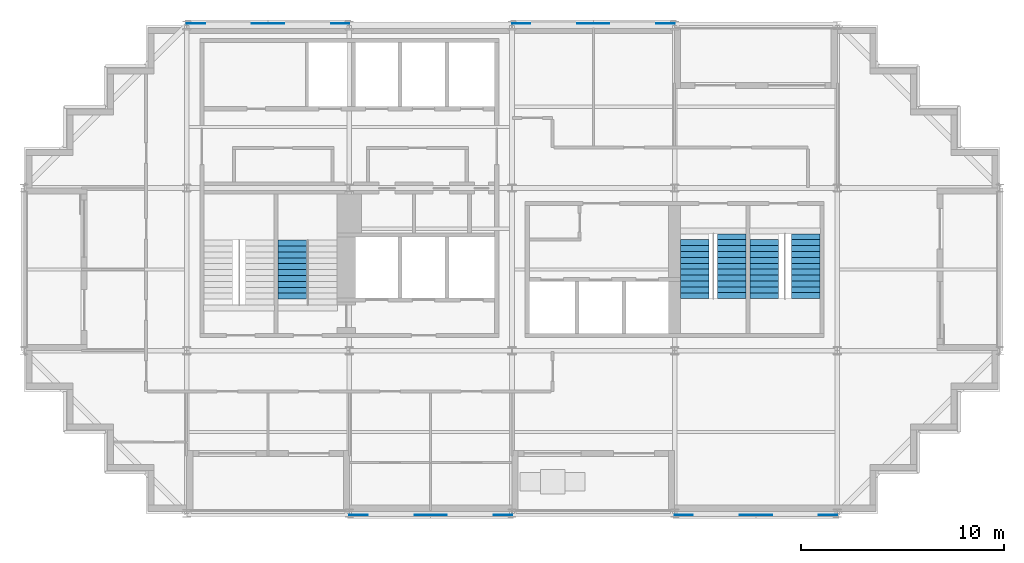
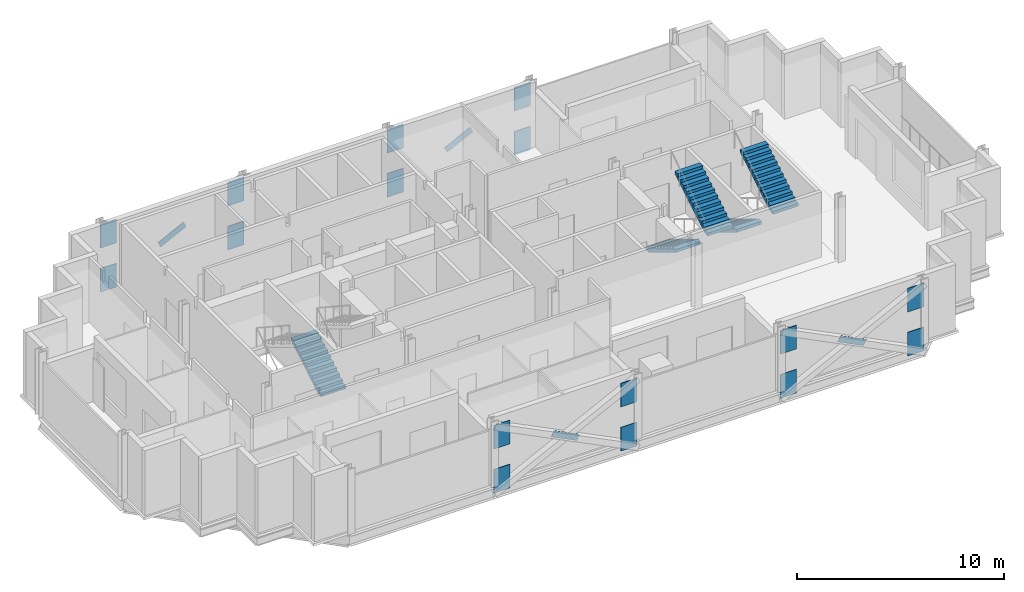
# One storey, part 6 of 8: 20 discrete accessories, 5 stair flights, 3 elements without a shape of their own.
"""IFC4 building model written with IfcOpenShell, lengths in metres."""

import ifcopenshell
import ifcopenshell.guid

model = None  # the IFC model being written
_history = None  # IfcOwnerHistory: only IFC2X3 demands one
_inside = {}  # id of a spatial element -> (the spatial element, [elements in it])
_under = {}  # id of a project, library or spatial element -> (it, [spatial elements below it])
_declared = {}  # id of a project -> (the project, [libraries it declares])
_typed = {}  # id of a type object -> (the type object, [elements of that type])
_made_of = {}  # id of a material, layer set ... -> (it, [elements and type objects made of it])


def new_model(schema):
    """Start an empty IFC model of exactly this schema.

    Asked for "IFC4X3", IfcOpenShell would pick the latest addendum, in which some entities
    have other attributes; the version numbers below select the first issue.
    IFC2X3 requires an IfcOwnerHistory on every rooted entity: one is made here for all.
    """
    global model, _history
    if schema == "IFC4X3":
        model = ifcopenshell.file(schema_version=(4, 3, 0, 0))
    else:
        model = ifcopenshell.file(schema=schema)
    _inside.clear()
    _under.clear()
    _declared.clear()
    _typed.clear()
    _made_of.clear()
    _history = None
    if model.schema == "IFC2X3":
        org = make("IfcOrganization", Name="unknown")
        user = make(
            "IfcPersonAndOrganization",
            ThePerson=make("IfcPerson", FamilyName="unknown"),
            TheOrganization=org,
        )
        app = make(
            "IfcApplication",
            ApplicationDeveloper=org,
            Version="unknown",
            ApplicationFullName="unknown",
            ApplicationIdentifier="unknown",
        )
        _history = make(
            "IfcOwnerHistory",
            OwningUser=user,
            OwningApplication=app,
            ChangeAction="ADDED",
            CreationDate=0,
        )
    return model


def make(cls, **values):
    """One entity of the class cls with the attributes given. An attribute that is None is left unset."""
    return model.create_entity(
        cls, **{name: value for name, value in values.items() if value is not None}
    )


def rooted(cls, **values):
    """An entity with a GlobalId (a new one), such as an element, a storey or a relation."""
    return make(cls, GlobalId=ifcopenshell.guid.new(), OwnerHistory=_history, **values)


def si_unit(unit_type, name, prefix=None):
    """IfcSIUnit, for example si_unit("LENGTHUNIT", "METRE", prefix="MILLI")."""
    return make("IfcSIUnit", UnitType=unit_type, Prefix=prefix, Name=name)


def assignment(units):
    """IfcUnitAssignment: the units of a project."""
    return None if units is None else make("IfcUnitAssignment", Units=units)


def point(xyz):
    """IfcCartesianPoint."""
    return None if xyz is None else make("IfcCartesianPoint", Coordinates=xyz)


def direction(xyz):
    """IfcDirection."""
    return None if xyz is None else make("IfcDirection", DirectionRatios=xyz)


def frame(location, z_axis=None, x_axis=None):
    """IfcAxis2Placement3D, a coordinate frame: its origin and axes. An axis left out is left unset."""
    return make(
        "IfcAxis2Placement3D",
        Location=point(location),
        Axis=direction(z_axis),
        RefDirection=direction(x_axis),
    )


def frame_2d(location, x_axis=None):
    """IfcAxis2Placement2D, a coordinate frame in the plane: its origin and x axis."""
    return make(
        "IfcAxis2Placement2D", Location=point(location), RefDirection=direction(x_axis)
    )


def origin():
    """The frame at (0, 0, 0) with its axes left unset."""
    return frame((0.0, 0.0, 0.0))


def origin_2d():
    """The frame at (0, 0) in the plane with its x axis left unset."""
    return frame_2d((0.0, 0.0))


def place(relative_to, where):
    """IfcLocalPlacement: puts the frame where relative to a parent placement (None: the world)."""
    return make(
        "IfcLocalPlacement", PlacementRelTo=relative_to, RelativePlacement=where
    )


def context(
    kind, dimensions, precision=None, world=None, true_north=None, identifier=None
):
    """IfcGeometricRepresentationContext, for example the 3D "Model" context."""
    return make(
        "IfcGeometricRepresentationContext",
        ContextIdentifier=identifier,
        ContextType=kind,
        CoordinateSpaceDimension=dimensions,
        Precision=precision,
        WorldCoordinateSystem=world,
        TrueNorth=true_north,
    )


def subcontext(parent, identifier, kind, view, scale=None):
    """IfcGeometricRepresentationSubContext, for example "Body" below "Model"."""
    return make(
        "IfcGeometricRepresentationSubContext",
        ContextIdentifier=identifier,
        ContextType=kind,
        ParentContext=parent,
        TargetScale=scale,
        TargetView=view,
    )


def project(units=None, contexts=None):
    """IfcProject with its units and contexts."""
    return rooted(
        "IfcProject",
        Name="project",
        RepresentationContexts=contexts,
        UnitsInContext=assignment(units),
    )


def spatial(cls, under=None, at=None, **own):
    """A site, building, storey or space (cls), placed at a placement, below another one or the project."""
    s = rooted(cls, ObjectPlacement=at, **own)
    if under is not None:
        _under.setdefault(under.id(), (under, []))[1].append(s)
    return s


def polyline(points):
    """IfcPolyline through the points."""
    return make("IfcPolyline", Points=[point(p) for p in points])


def profile(cls, at=None, kind="AREA", **sizes):
    """A parametric profile (cls). Its sizes go by their IFC names, for example OverallWidth=200.0."""
    return make(cls, ProfileType=kind, Position=at, **sizes)


def rectangle(**sizes):
    """IfcRectangleProfileDef."""
    return profile("IfcRectangleProfileDef", **sizes)


def outline(outer, holes=None, kind="AREA"):
    """IfcArbitraryClosedProfileDef: a profile drawn as a closed curve; with holes, ...WithVoids."""
    if holes is None:
        return make("IfcArbitraryClosedProfileDef", ProfileType=kind, OuterCurve=outer)
    return make(
        "IfcArbitraryProfileDefWithVoids",
        ProfileType=kind,
        OuterCurve=outer,
        InnerCurves=holes,
    )


def extrude(swept, where, along, depth):
    """IfcExtrudedAreaSolid: the profile swept, set in the frame where, extruded along a direction by depth."""
    return make(
        "IfcExtrudedAreaSolid",
        SweptArea=swept,
        Position=where,
        ExtrudedDirection=direction(along),
        Depth=depth,
    )


def shape(context_of_items, identifier, shape_type, items):
    """IfcShapeRepresentation: the items that make up one representation, for example the "Body"."""
    return make(
        "IfcShapeRepresentation",
        ContextOfItems=context_of_items,
        RepresentationIdentifier=identifier,
        RepresentationType=shape_type,
        Items=items,
    )


def material(Name=None, Category=None):
    """IfcMaterial."""
    return make("IfcMaterial", Name=Name, Category=Category)


def material_profile(
    of_material, cross_section, Name=None, Category=None, Priority=None
):
    """IfcMaterialProfile: a cross section and its material."""
    return make(
        "IfcMaterialProfile",
        Name=Name,
        Material=of_material,
        Profile=cross_section,
        Priority=Priority,
        Category=Category,
    )


def profile_set(profiles, Name=None, composite=None):
    """IfcMaterialProfileSet."""
    return make(
        "IfcMaterialProfileSet",
        Name=Name,
        MaterialProfiles=profiles,
        CompositeProfile=composite,
    )


def made_of(thing, what):
    """Note that an element or type object is made of a material, layer set ...; save() writes the relation."""
    if what is not None:
        _made_of.setdefault(what.id(), (what, []))[1].append(thing)
    return thing


def type_object(cls, material=None, **own):
    """A type object (cls), such as IfcWallType, which elements share."""
    return made_of(rooted(cls, **own), material)


def element(
    cls,
    number,
    at=None,
    inside=None,
    cuts=None,
    type_object=None,
    material=None,
    context=None,
    identifier="Body",
    shape_type=None,
    held_by="IfcProductDefinitionShape",
    body=None,
    shapes=None,
    **own,
):
    """One element of the class cls, such as IfcWall. Its Tag is "e" and its number.

    at: its placement. inside: the storey or other place that contains it. cuts: it is an
    opening in that element (IfcRelVoidsElement). A single representation is given by context,
    identifier, shape_type and body (its items); several are given by shapes. held_by: the class
    of the entity that holds the representations. save() writes the other relations.
    """
    e = rooted(cls, Tag="e%d" % number, ObjectPlacement=at, **own)
    if body is not None:
        shapes = [shape(context, identifier, shape_type, body)]
    if shapes is not None:
        e.Representation = make(held_by, Representations=shapes)
    if inside is not None:
        _inside.setdefault(inside.id(), (inside, []))[1].append(e)
    if cuts is not None:
        rooted(
            "IfcRelVoidsElement", RelatingBuildingElement=cuts, RelatedOpeningElement=e
        )
    if type_object is not None:
        _typed.setdefault(type_object.id(), (type_object, []))[1].append(e)
    return made_of(e, material)


def aggregate(whole, parts):
    """IfcRelAggregates: a whole, such as a stair, and the parts it consists of."""
    return rooted("IfcRelAggregates", RelatingObject=whole, RelatedObjects=parts)


def save(model, path):
    """Write the relations noted so far, then the file.

    IfcRelAggregates (storeys below a building ...), IfcRelContainedInSpatialStructure (elements
    in a storey), IfcRelDefinesByType, IfcRelAssociatesMaterial and IfcRelDeclares: one each for
    every whole, place, type object, material and project.
    """
    for whole, parts in _under.values():
        aggregate(whole, parts)
    for where, things in _inside.values():
        rooted(
            "IfcRelContainedInSpatialStructure",
            RelatedElements=things,
            RelatingStructure=where,
        )
    for kind, things in _typed.values():
        rooted("IfcRelDefinesByType", RelatedObjects=things, RelatingType=kind)
    for what, things in _made_of.values():
        rooted("IfcRelAssociatesMaterial", RelatedObjects=things, RelatingMaterial=what)
    for by, libraries in _declared.values():
        rooted("IfcRelDeclares", RelatingContext=by, RelatedDefinitions=libraries)
    model.write(path)


model = new_model("IFC4")

# Units and contexts
model_context = context("Model", 3, precision=1e-05, world=origin(), true_north=direction((0.0, 1.0)))
body_context = subcontext(model_context, "Body", "Model", "MODEL_VIEW")
ifc_project = project(units=[si_unit("LENGTHUNIT", "METRE"), si_unit("AREAUNIT", "SQUARE_METRE"), si_unit("VOLUMEUNIT", "CUBIC_METRE"), si_unit("PLANEANGLEUNIT", "RADIAN"), si_unit("MASSUNIT", "GRAM", prefix="KILO")], contexts=[model_context])

# Site, building, storey
site_placement = place(None, origin())
site = spatial("IfcSite", under=ifc_project, at=site_placement, CompositionType="ELEMENT")
building_placement = place(site_placement, origin())
building = spatial("IfcBuilding", under=site, at=building_placement, Name="Immortelle Media Tower", CompositionType="ELEMENT")
storey_placement = place(building_placement, frame((0.0, 0.0, 193.0)))
storey = spatial("IfcBuildingStorey", under=building, at=storey_placement, Name="L40", CompositionType="ELEMENT", Elevation=193.0)

# Stair, stair flight
ifc_material_1 = material(Name="Steel ASTM A992 Gr 50", Category="steel")
stair_type = type_object("IfcStairType", Name="Stair with flights", PredefinedType="DOUBLE_RETURN_STAIR", material=ifc_material_1)
stair_1_placement = place(storey_placement, origin())
stair_1 = element("IfcStair", 1, at=stair_1_placement, inside=storey, type_object=stair_type, Name="Exit stair SW2", PredefinedType="DOUBLE_RETURN_STAIR")
stair_flight_type = type_object("IfcStairFlightType", Name="Stair flight 1400", PredefinedType="STRAIGHT", material=ifc_material_1)
stair_flight_1_placement = place(storey_placement, frame((13.199951171875, 10.5400390625, 0.0), z_axis=(0.0, 0.0, 1.0), x_axis=(0.0, 1.0, 0.0)))
stair_flight_1 = element("IfcStairFlight", 2, at=stair_flight_1_placement, type_object=stair_flight_type, Name="ST SW2 flight 1", NumberOfRisers=11, NumberOfTreads=10, PredefinedType="STRAIGHT", RiserHeight=0.173913043, TreadLength=0.29, context=body_context, shape_type="SweptSolid", body=[
    extrude(outline(polyline([(0.0, 0.0), (0.0, 0.173828125), (0.2900390625, 0.173828125), (0.2900390625, 0.347900390625), (0.580078125, 0.347900390625), (0.580078125, 0.521728515625), (0.8701171875, 0.521728515625), (0.8701171875, 0.695556640625), (1.159912109375, 0.695556640625), (1.159912109375, 0.86962890625), (1.449951171875, 0.86962890625), (1.449951171875, 1.04345703125), (1.739990234375, 1.04345703125), (1.739990234375, 1.21728515625), (2.030029296875, 1.21728515625), (2.030029296875, 1.391357421875), (2.320068359375, 1.391357421875), (2.320068359375, 1.565185546875), (2.610107421875, 1.565185546875), (2.610107421875, 1.739013671875), (2.89990234375, 1.739013671875), (2.89990234375, 1.9130859375), (2.89990234375, 1.564453125), (0.29150390625, 0.0), (0.0, 0.0)])), frame((0.0, 0.699951171875, 0.0), z_axis=(0.0, -1.0, 0.0), x_axis=(1.0, 0.0, 0.0)), (0.0, 0.0, 1.0), 1.39990234375),
])
aggregate(stair_1, [stair_flight_1])

# Stair, stair flights
stair_2_placement = place(storey_placement, origin())
stair_2 = element("IfcStair", 3, at=stair_2_placement, inside=storey, type_object=stair_type, Name="Exit stair SE1", PredefinedType="DOUBLE_RETURN_STAIR")
stair_flight_2_placement = place(storey_placement, frame((33.0, 13.4599609375, 0.0), z_axis=(0.0, 0.0, 1.0), x_axis=(0.0, -1.0, 0.0)))
stair_flight_2 = element("IfcStairFlight", 4, at=stair_flight_2_placement, type_object=stair_flight_type, Name="ST SE1 flight 1", NumberOfRisers=11, NumberOfTreads=10, PredefinedType="STRAIGHT", RiserHeight=0.173913043, TreadLength=0.29, context=body_context, shape_type="SweptSolid", body=[
    extrude(outline(polyline([(0.0, 0.0), (0.0, 0.173828125), (0.2900390625, 0.173828125), (0.2900390625, 0.347900390625), (0.580078125, 0.347900390625), (0.580078125, 0.521728515625), (0.8701171875, 0.521728515625), (0.8701171875, 0.695556640625), (1.159912109375, 0.695556640625), (1.159912109375, 0.86962890625), (1.449951171875, 0.86962890625), (1.449951171875, 1.04345703125), (1.739990234375, 1.04345703125), (1.739990234375, 1.21728515625), (2.030029296875, 1.21728515625), (2.030029296875, 1.391357421875), (2.320068359375, 1.391357421875), (2.320068359375, 1.565185546875), (2.610107421875, 1.565185546875), (2.610107421875, 1.739013671875), (2.89990234375, 1.739013671875), (2.89990234375, 1.9130859375), (2.89990234375, 1.564453125), (0.29150390625, 0.0), (0.0, 0.0)])), frame((0.0, 0.699951171875, 0.0), z_axis=(0.0, -1.0, 0.0), x_axis=(1.0, 0.0, 0.0)), (0.0, 0.0, 1.0), 1.39990234375),
])
stair_flight_3_placement = place(storey_placement, frame((34.800048828125, 10.56005859375, 1.9130859375), z_axis=(0.0, 0.0, 1.0), x_axis=(0.0, 1.0, 0.0)))
stair_flight_3 = element("IfcStairFlight", 5, at=stair_flight_3_placement, type_object=stair_flight_type, Name="ST SE1 flight 2", NumberOfRisers=12, NumberOfTreads=11, PredefinedType="STRAIGHT", RiserHeight=0.173913043, TreadLength=0.29, context=body_context, shape_type="SweptSolid", body=[
    extrude(outline(polyline([(0.0, 0.0), (0.0, 0.173828125), (0.2900390625, 0.173828125), (0.2900390625, 0.347900390625), (0.580078125, 0.347900390625), (0.580078125, 0.521728515625), (0.8701171875, 0.521728515625), (0.8701171875, 0.695556640625), (1.159912109375, 0.695556640625), (1.159912109375, 0.86962890625), (1.449951171875, 0.86962890625), (1.449951171875, 1.04345703125), (1.739990234375, 1.04345703125), (1.739990234375, 1.21728515625), (2.030029296875, 1.21728515625), (2.030029296875, 1.391357421875), (2.320068359375, 1.391357421875), (2.320068359375, 1.565185546875), (2.610107421875, 1.565185546875), (2.610107421875, 1.739013671875), (2.89990234375, 1.739013671875), (2.89990234375, 1.9130859375), (3.18994140625, 1.9130859375), (3.18994140625, 2.0869140625), (3.18994140625, 1.73828125), (0.29150390625, 0.0), (0.0, 0.0)])), frame((0.0, 0.699951171875, 0.0), z_axis=(0.0, -1.0, 0.0), x_axis=(1.0, 0.0, 0.0)), (0.0, 0.0, 1.0), 1.39990234375),
])
aggregate(stair_2, [stair_flight_2, stair_flight_3])

stair_3_placement = place(storey_placement, origin())
stair_3 = element("IfcStair", 6, at=stair_3_placement, inside=storey, type_object=stair_type, Name="Exit stair SE2", PredefinedType="DOUBLE_RETURN_STAIR")
stair_flight_4_placement = place(storey_placement, frame((36.39990234375, 13.4599609375, 0.0), z_axis=(0.0, 0.0, 1.0), x_axis=(0.0, -1.0, 0.0)))
stair_flight_4 = element("IfcStairFlight", 7, at=stair_flight_4_placement, type_object=stair_flight_type, Name="ST SE2 flight 1", NumberOfRisers=11, NumberOfTreads=10, PredefinedType="STRAIGHT", RiserHeight=0.173913043, TreadLength=0.29, context=body_context, shape_type="SweptSolid", body=[
    extrude(outline(polyline([(0.0, 0.0), (0.0, 0.173828125), (0.2900390625, 0.173828125), (0.2900390625, 0.347900390625), (0.580078125, 0.347900390625), (0.580078125, 0.521728515625), (0.8701171875, 0.521728515625), (0.8701171875, 0.695556640625), (1.159912109375, 0.695556640625), (1.159912109375, 0.86962890625), (1.449951171875, 0.86962890625), (1.449951171875, 1.04345703125), (1.739990234375, 1.04345703125), (1.739990234375, 1.21728515625), (2.030029296875, 1.21728515625), (2.030029296875, 1.391357421875), (2.320068359375, 1.391357421875), (2.320068359375, 1.565185546875), (2.610107421875, 1.565185546875), (2.610107421875, 1.739013671875), (2.89990234375, 1.739013671875), (2.89990234375, 1.9130859375), (2.89990234375, 1.564453125), (0.29150390625, 0.0), (0.0, 0.0)])), frame((0.0, 0.699951171875, 0.0), z_axis=(0.0, -1.0, 0.0), x_axis=(1.0, 0.0, 0.0)), (0.0, 0.0, 1.0), 1.39990234375),
])
stair_flight_5_placement = place(storey_placement, frame((38.449951171875, 10.56005859375, 1.9130859375), z_axis=(0.0, 0.0, 1.0), x_axis=(0.0, 1.0, 0.0)))
stair_flight_5 = element("IfcStairFlight", 8, at=stair_flight_5_placement, type_object=stair_flight_type, Name="ST SE2 flight 2", NumberOfRisers=12, NumberOfTreads=11, PredefinedType="STRAIGHT", RiserHeight=0.173913043, TreadLength=0.29, context=body_context, shape_type="SweptSolid", body=[
    extrude(outline(polyline([(0.0, 0.0), (0.0, 0.173828125), (0.2900390625, 0.173828125), (0.2900390625, 0.347900390625), (0.580078125, 0.347900390625), (0.580078125, 0.521728515625), (0.8701171875, 0.521728515625), (0.8701171875, 0.695556640625), (1.159912109375, 0.695556640625), (1.159912109375, 0.86962890625), (1.449951171875, 0.86962890625), (1.449951171875, 1.04345703125), (1.739990234375, 1.04345703125), (1.739990234375, 1.21728515625), (2.030029296875, 1.21728515625), (2.030029296875, 1.391357421875), (2.320068359375, 1.391357421875), (2.320068359375, 1.565185546875), (2.610107421875, 1.565185546875), (2.610107421875, 1.739013671875), (2.89990234375, 1.739013671875), (2.89990234375, 1.9130859375), (3.18994140625, 1.9130859375), (3.18994140625, 2.0869140625), (3.18994140625, 1.73828125), (0.29150390625, 0.0), (0.0, 0.0)])), frame((0.0, 0.699951171875, 0.0), z_axis=(0.0, -1.0, 0.0), x_axis=(1.0, 0.0, 0.0)), (0.0, 0.0, 1.0), 1.39990234375),
])
aggregate(stair_3, [stair_flight_4, stair_flight_5])

# Discrete accessories
ifc_material_2 = material(Name="Steel ASTM A572 Gr 50", Category="steel")
ifc_material_profile_1 = material_profile(ifc_material_2, rectangle(XDim=0.02392578125, YDim=0.35595703125, at=origin_2d()), Name="PL 24 x 356")
ifc_profile_set_1 = profile_set([ifc_material_profile_1], Name="Steel ASTM A572 Gr 50")
discrete_accessory_type_1 = type_object("IfcDiscreteAccessoryType", Name="Crossing plate XP-BR5 1600 x 356 x 24", PredefinedType="USERDEFINED", material=ifc_profile_set_1)
for number, where, z_axis, x_axis, name in (
    (9, (28.715576171875, 24.087890625, 1.90185546875), (-0.894427191, 0.0, -0.4472135955), (0.0, -1.0, 0.0), "Crossing plate XP-BR5 of Brace D/4-5 A and Brace D/4-5 B"),
    (10, (12.715576171875, 24.087890625, 1.90185546875), (-0.894427191, 0.0, -0.4472135955), (0.0, -1.0, 0.0), "Crossing plate XP-BR5 of Brace D/2-3 A and Brace D/2-3 B"),
    (11, (19.284423828125, -0.087890625, 1.90185546875), (0.894427191, 0.0, -0.4472135955), (0.0, 1.0, 0.0), "Crossing plate XP-BR5 of Brace A/3-4 A and Brace A/3-4 B"),
    (12, (35.284423828125, -0.087890625, 1.90185546875), (0.894427191, 0.0, -0.4472135955), (0.0, 1.0, 0.0), "Crossing plate XP-BR5 of Brace A/5-6 A and Brace A/5-6 B"),
):
    element("IfcDiscreteAccessory", number, at=place(storey_placement, frame(where, z_axis=z_axis, x_axis=x_axis)), inside=storey, type_object=discrete_accessory_type_1, Name=name, ObjectType="CROSSING PLATE", PredefinedType="USERDEFINED", context=body_context, shape_type="SweptSolid", body=[
        extrude(rectangle(XDim=0.02392578125, YDim=0.35595703125, at=origin_2d()), origin(), (0.0, 0.0, 1.0), 1.60009765625),
    ])
ifc_material_profile_2 = material_profile(ifc_material_2, rectangle(XDim=0.031982421875, YDim=1.39990234375, at=origin_2d()), Name="PL 32 x 1400")
ifc_profile_set_2 = profile_set([ifc_material_profile_2], Name="Steel ASTM A572 Gr 50")
discrete_accessory_type_2 = type_object("IfcDiscreteAccessoryType", Name="Gusset plate GP1 900 x 1400 x 32", PredefinedType="USERDEFINED", material=ifc_profile_set_2)
for number, where, z_axis, x_axis, name in (
    (13, (16.0, -0.087890625, 0.243896484375), (1.0, 0.0, 0.0), (0.0, 1.0, 0.0), "Gusset plate GP1, lower end of Brace A/3-4 A"),
    (14, (24.0, -0.087890625, 2.843994140625), (-1.0, 0.0, 0.0), (0.0, -1.0, 0.0), "Gusset plate GP1, upper end of Brace A/3-4 A"),
    (15, (24.0, -0.087890625, 0.243896484375), (-1.0, 0.0, 0.0), (0.0, -1.0, 0.0), "Gusset plate GP1, lower end of Brace A/3-4 B"),
    (16, (16.0, -0.087890625, 2.843994140625), (1.0, 0.0, 0.0), (0.0, 1.0, 0.0), "Gusset plate GP1, upper end of Brace A/3-4 B"),
    (17, (32.0, -0.087890625, 0.243896484375), (1.0, 0.0, 0.0), (0.0, 1.0, 0.0), "Gusset plate GP1, lower end of Brace A/5-6 A"),
    (18, (40.0, -0.087890625, 2.843994140625), (-1.0, 0.0, 0.0), (0.0, -1.0, 0.0), "Gusset plate GP1, upper end of Brace A/5-6 A"),
    (19, (40.0, -0.087890625, 0.243896484375), (-1.0, 0.0, 0.0), (0.0, -1.0, 0.0), "Gusset plate GP1, lower end of Brace A/5-6 B"),
    (20, (32.0, -0.087890625, 2.843994140625), (1.0, 0.0, 0.0), (0.0, 1.0, 0.0), "Gusset plate GP1, upper end of Brace A/5-6 B"),
    (21, (32.0, 24.087890625, 0.243896484375), (-1.0, 0.0, 0.0), (0.0, -1.0, 0.0), "Gusset plate GP1, lower end of Brace D/4-5 A"),
    (22, (24.0, 24.087890625, 2.843994140625), (1.0, 0.0, 0.0), (0.0, 1.0, 0.0), "Gusset plate GP1, upper end of Brace D/4-5 A"),
    (23, (24.0, 24.087890625, 0.243896484375), (1.0, 0.0, 0.0), (0.0, 1.0, 0.0), "Gusset plate GP1, lower end of Brace D/4-5 B"),
    (24, (32.0, 24.087890625, 2.843994140625), (-1.0, 0.0, 0.0), (0.0, -1.0, 0.0), "Gusset plate GP1, upper end of Brace D/4-5 B"),
    (25, (16.0, 24.087890625, 0.243896484375), (-1.0, 0.0, 0.0), (0.0, -1.0, 0.0), "Gusset plate GP1, lower end of Brace D/2-3 A"),
    (26, (8.0, 24.087890625, 2.843994140625), (1.0, 0.0, 0.0), (0.0, 1.0, 0.0), "Gusset plate GP1, upper end of Brace D/2-3 A"),
    (27, (8.0, 24.087890625, 0.243896484375), (1.0, 0.0, 0.0), (0.0, 1.0, 0.0), "Gusset plate GP1, lower end of Brace D/2-3 B"),
    (28, (16.0, 24.087890625, 2.843994140625), (-1.0, 0.0, 0.0), (0.0, -1.0, 0.0), "Gusset plate GP1, upper end of Brace D/2-3 B"),
):
    element("IfcDiscreteAccessory", number, at=place(storey_placement, frame(where, z_axis=z_axis, x_axis=x_axis)), inside=storey, type_object=discrete_accessory_type_2, Name=name, ObjectType="GUSSET PLATE", PredefinedType="USERDEFINED", context=body_context, shape_type="SweptSolid", body=[
        extrude(rectangle(XDim=0.031982421875, YDim=1.39990234375, at=origin_2d()), origin(), (0.0, 0.0, 1.0), 0.89990234375),
    ])

save(model, "model.ifc")
